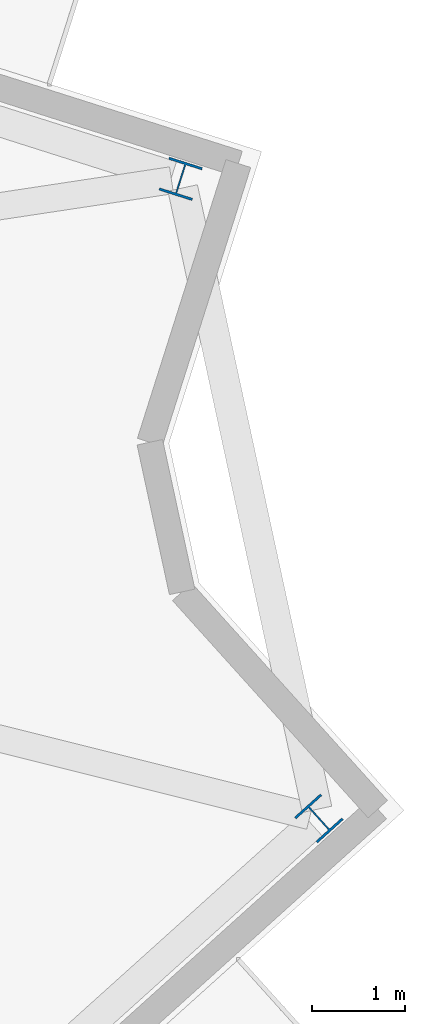
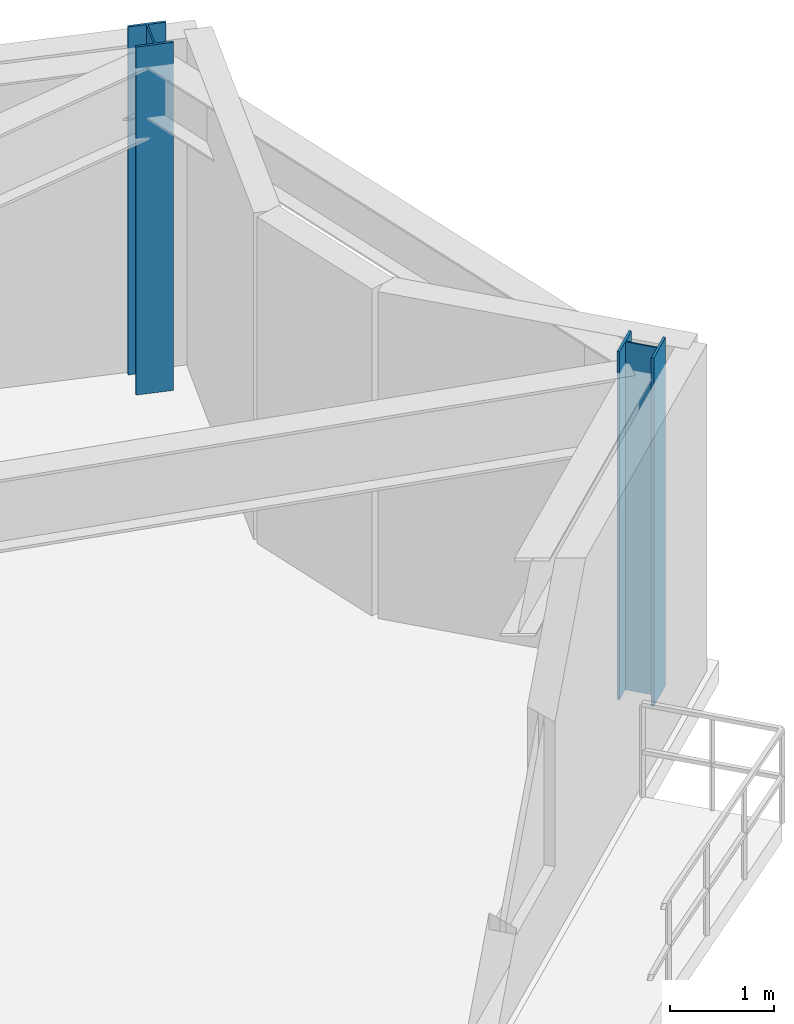
# One storey, part 3 of 12: 2 columns.
"""IFC4 building model written with IfcOpenShell, lengths in metres."""

from ifc_helpers import new_model, si_unit, direction, frame, origin, origin_2d, place, context, subcontext, project, spatial, i_section, extrude, material, material_profile, profile_set, type_object, element, save


model = new_model("IFC4")

# Units and contexts
model_context = context("Model", 3, precision=1e-05, world=origin(), true_north=direction((0.0, 1.0)))
body_context = subcontext(model_context, "Body", "Model", "MODEL_VIEW")
ifc_project = project(units=[si_unit("LENGTHUNIT", "METRE"), si_unit("AREAUNIT", "SQUARE_METRE"), si_unit("VOLUMEUNIT", "CUBIC_METRE"), si_unit("PLANEANGLEUNIT", "RADIAN"), si_unit("MASSUNIT", "GRAM", prefix="KILO")], contexts=[model_context])

# Site, building, storey
site_placement = place(None, origin())
site = spatial("IfcSite", under=ifc_project, at=site_placement, CompositionType="ELEMENT")
building_placement = place(site_placement, origin())
building = spatial("IfcBuilding", under=site, at=building_placement, Name="Apsidion Concourse Tower", CompositionType="ELEMENT")
storey_placement = place(building_placement, frame((0.0, 0.0, 232.199951171875)))
storey = spatial("IfcBuildingStorey", under=building, at=storey_placement, Name="L54", CompositionType="ELEMENT", Elevation=232.199951171875)

# Columns
ifc_material = material(Name="Structural steel ASTM A992 Grade 50", Category="steel")
ifc_material_profile = material_profile(ifc_material, i_section(OverallWidth=0.373046875, OverallDepth=0.373046875, WebThickness=0.016357421875, FlangeThickness=0.026123046875, at=origin_2d()), Name="W14X132")
ifc_profile_set = profile_set([ifc_material_profile], Name="Structural steel ASTM A992 Grade 50")
column_type = type_object("IfcColumnType", Name="COL-W14-132", PredefinedType="COLUMN", material=ifc_profile_set)
for number, where, z_axis, x_axis, name in (
    (1, (30.300537109375, 2.81591796875, 0.0), (0.0, 0.0, 1.0), (0.743144825477, 0.669130606359, 0.0), "L54 Rotated Perimeter Column PC08"),
    (2, (28.811279296875, 9.705810546875, 0.0), (0.0, 0.0, 1.0), (-0.953137879774, 0.3025362493, 0.0), "L54 Rotated Perimeter Column PC09"),
):
    element("IfcColumn", number, at=place(storey_placement, frame(where, z_axis=z_axis, x_axis=x_axis)), inside=storey, type_object=column_type, Name=name, PredefinedType="COLUMN", context=body_context, shape_type="SweptSolid", body=[
        extrude(i_section(OverallWidth=0.373046875, OverallDepth=0.373046875, WebThickness=0.016357421875, FlangeThickness=0.026123046875, at=origin_2d()), origin(), (0.0, 0.0, 1.0), 4.10009765625),
    ])

save(model, "model.ifc")
